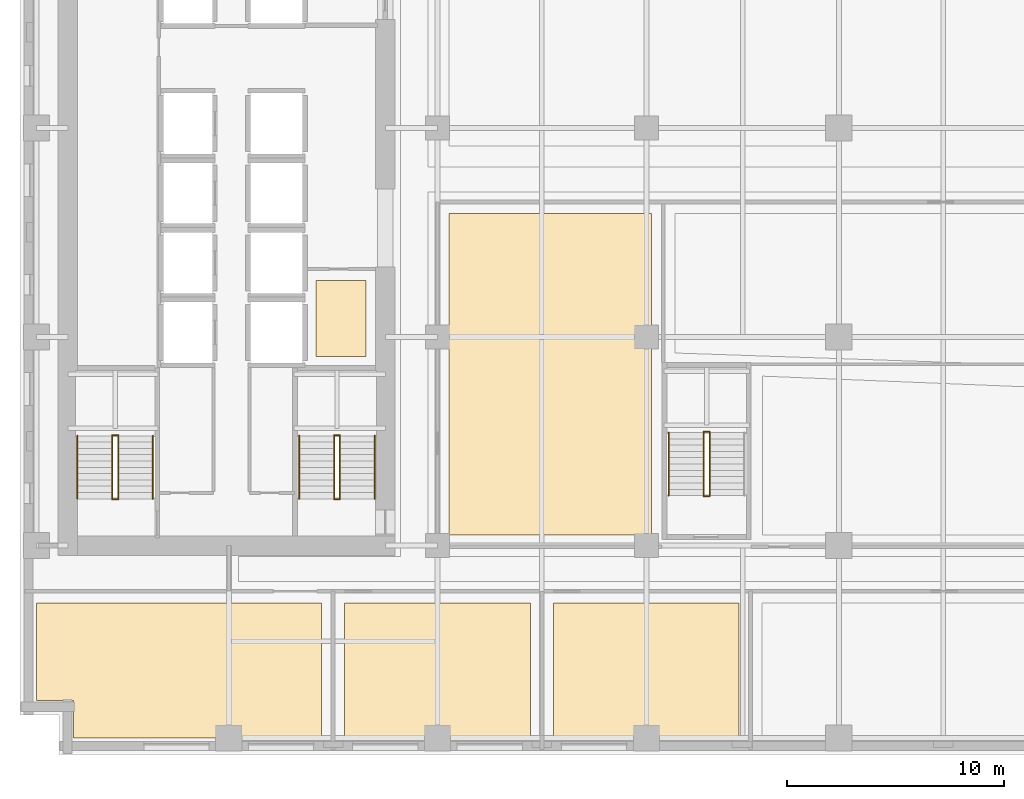
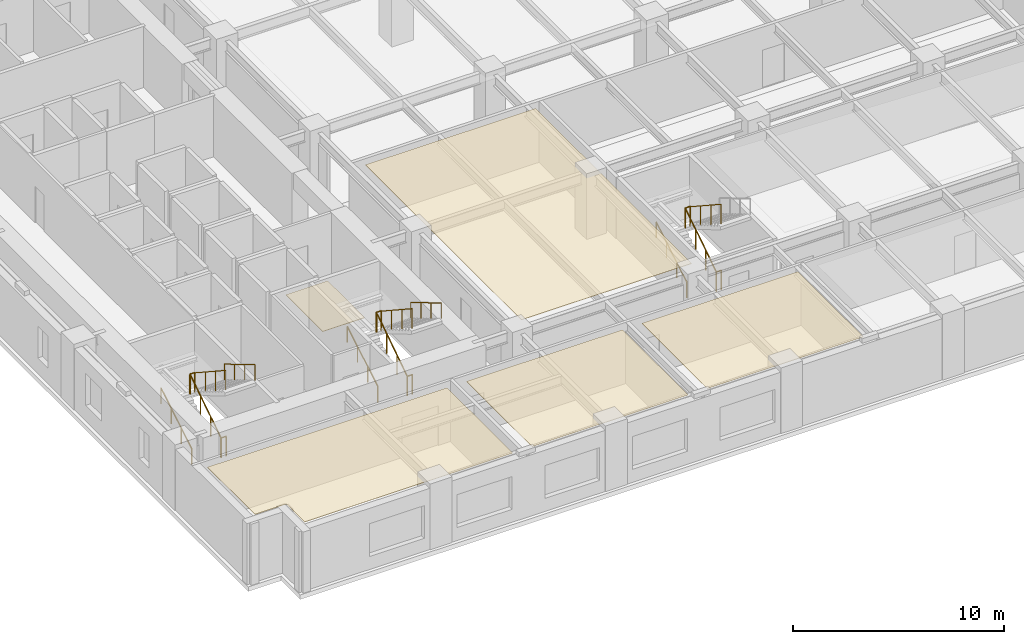
# One storey, part 9 of 13: 17 railings, 5 coverings.
"""IFC4 building model written with IfcOpenShell, lengths in metres."""

from ifc_helpers import new_model, si_unit, direction, frame, origin, origin_2d, place, context, subcontext, project, spatial, polyline, circle, outline, extrude, material, layer, layer_set, type_object, element, save


model = new_model("IFC4")

# Units and contexts
model_context = context("Model", 3, precision=1e-05, world=origin(), true_north=direction((0.0, 1.0)))
body_context = subcontext(model_context, "Body", "Model", "MODEL_VIEW")
ifc_project = project(units=[si_unit("LENGTHUNIT", "METRE"), si_unit("AREAUNIT", "SQUARE_METRE"), si_unit("VOLUMEUNIT", "CUBIC_METRE"), si_unit("PLANEANGLEUNIT", "RADIAN"), si_unit("MASSUNIT", "GRAM", prefix="KILO")], contexts=[model_context])

# Site, building, storey
site_placement = place(None, origin())
site = spatial("IfcSite", under=ifc_project, at=site_placement, CompositionType="ELEMENT")
building_placement = place(site_placement, origin())
building = spatial("IfcBuilding", under=site, at=building_placement, Name="Norrvale University Quadrangle", CompositionType="ELEMENT")
storey_placement = place(building_placement, frame((0.0, 0.0, 31.800048828125)))
storey = spatial("IfcBuildingStorey", under=building, at=storey_placement, Name="L07", CompositionType="ELEMENT", Elevation=31.800048828125)

# Coverings
ifc_material_1 = material(Name="Perforated Acoustic Mineral Ceiling")
ifc_layer_1 = layer(ifc_material_1, 0.02490234375, Name="Perforated Acoustic Mineral Ceiling")
ifc_layer_set_1 = layer_set([ifc_layer_1], Name="Perforated Acoustic Mineral Ceiling")
covering_type_1 = type_object("IfcCoveringType", Name="Covering Acoustic Ceiling 25", PredefinedType="CEILING", material=ifc_layer_set_1)
covering_1_placement = place(storey_placement, frame((0.0, 0.0, 3.514892578125)))
element("IfcCovering", 1, at=covering_1_placement, inside=storey, type_object=covering_type_1, Name="Acoustic Ceiling RM-L07-S01", PredefinedType="CEILING", context=body_context, shape_type="SweptSolid", body=[
    extrude(outline(polyline([(0.75, 6.969970703125), (13.8701171875, 6.969970703125), (13.8701171875, 0.75), (2.469970703125, 0.75), (2.469970703125, 2.469970703125), (0.75, 2.469970703125), (0.75, 6.969970703125)])), origin(), (0.0, 0.0, 1.0), 0.025146484375),
])
covering_2_placement = place(storey_placement, frame((0.0, 0.0, 3.514892578125)))
element("IfcCovering", 2, at=covering_2_placement, inside=storey, type_object=covering_type_1, Name="Acoustic Ceiling RM-L07-S02", PredefinedType="CEILING", context=body_context, shape_type="SweptSolid", body=[
    extrude(outline(polyline([(14.929931640625, 6.969970703125), (23.469970703125, 6.969970703125), (23.469970703125, 0.75), (14.929931640625, 0.75), (14.929931640625, 6.969970703125)])), origin(), (0.0, 0.0, 1.0), 0.025146484375),
])
covering_3_placement = place(storey_placement, frame((0.0, 0.0, 3.514892578125)))
element("IfcCovering", 3, at=covering_3_placement, inside=storey, type_object=covering_type_1, Name="Acoustic Ceiling RM-L07-S03", PredefinedType="CEILING", context=body_context, shape_type="SweptSolid", body=[
    extrude(outline(polyline([(24.530029296875, 6.969970703125), (33.070068359375, 6.969970703125), (33.070068359375, 0.75), (24.530029296875, 0.75), (24.530029296875, 6.969970703125)])), origin(), (0.0, 0.0, 1.0), 0.025146484375),
])
covering_4_placement = place(storey_placement, frame((0.0, 0.0, 3.514892578125)))
element("IfcCovering", 4, at=covering_4_placement, inside=storey, type_object=covering_type_1, Name="Acoustic Ceiling RM-L07-IW1", PredefinedType="CEILING", context=body_context, shape_type="SweptSolid", body=[
    extrude(outline(polyline([(19.72998046875, 10.080078125), (19.72998046875, 24.8701171875), (29.050048828125, 24.8701171875), (29.050048828125, 10.080078125), (19.72998046875, 10.080078125)])), origin(), (0.0, 0.0, 1.0), 0.025146484375),
])
ifc_material_2 = material(Name="Polished Terrazzo Flooring")
ifc_layer_2 = layer(ifc_material_2, 0.02490234375, Name="Polished Terrazzo Flooring")
ifc_layer_set_2 = layer_set([ifc_layer_2], Name="Polished Terrazzo Flooring")
covering_type_2 = type_object("IfcCoveringType", Name="Covering Terrazzo Floor 30", PredefinedType="FLOORING", material=ifc_layer_set_2)
covering_5_placement = place(storey_placement, origin())
element("IfcCovering", 5, at=covering_5_placement, inside=storey, type_object=covering_type_2, Name="Terrazzo Flooring RM-L07-JAN", PredefinedType="FLOORING", context=body_context, shape_type="SweptSolid", body=[
    extrude(outline(polyline([(13.60009765625, 18.300048828125), (13.60009765625, 21.800048828125), (15.89990234375, 21.800048828125), (15.89990234375, 18.300048828125), (13.60009765625, 18.300048828125)])), origin(), (0.0, 0.0, 1.0), 0.02490234375),
])

# Railings
ifc_material_3 = material(Name="Steel 350W Painted Balustrade", Category="steel")
railing_type_1 = type_object("IfcRailingType", Name="Railing Stair Guard 1100", PredefinedType="GUARDRAIL", material=ifc_material_3)
for number, where, name in (
    (6, (4.239990234375, 11.719970703125, 0.0), "Stair Floor Well Guard ST-01 L07"),
    (7, (4.239990234375, 14.679931640625, 1.89990234375), "Stair Mid-Landing Slot Guard ST-01 L07"),
):
    element("IfcRailing", number, at=place(storey_placement, frame(where)), inside=storey, type_object=railing_type_1, Name=name, PredefinedType="GUARDRAIL", context=body_context, shape_type="SweptSolid", body=[
        extrude(circle(Radius=0.02392578125, at=origin_2d()), frame((0.0, 0.0, 1.1259765625), z_axis=(1.0, 0.0, 0.0), x_axis=(0.0, 1.0, 0.0)), (0.0, 0.0, 1.0), 0.27001953125),
        extrude(circle(Radius=0.02099609375, at=origin_2d()), origin(), (0.0, 0.0, 1.0), 1.101806640625),
        extrude(circle(Radius=0.02099609375, at=origin_2d()), frame((0.27001953125, 0.0, 0.0)), (0.0, 0.0, 1.0), 1.101806640625),
    ])
railing_1_placement = place(storey_placement, frame((4.239990234375, 11.75, 0.0)))
element("IfcRailing", 8, at=railing_1_placement, inside=storey, type_object=railing_type_1, Name="Stair Lower Flight Inner Guard ST-01 L07", PredefinedType="GUARDRAIL", context=body_context, shape_type="SweptSolid", body=[
    extrude(circle(Radius=0.02392578125, at=origin_2d()), frame((0.0, 0.0, 1.1259765625), z_axis=(0.0, 0.836465582154, 0.548019461216), x_axis=(-1.0, 0.0, 0.0)), (0.0, 0.0, 1.0), 3.466796875),
    extrude(circle(Radius=0.02099609375, at=origin_2d()), origin(), (0.0, 0.0, 1.0), 1.101806640625),
    extrude(circle(Radius=0.02099609375, at=origin_2d()), frame((0.0, 0.966552734375, 0.63330078125)), (0.0, 0.0, 1.0), 1.101806640625),
    extrude(circle(Radius=0.02099609375, at=origin_2d()), frame((0.0, 1.933349609375, 1.2666015625)), (0.0, 0.0, 1.0), 1.101806640625),
    extrude(circle(Radius=0.02099609375, at=origin_2d()), frame((0.0, 2.89990234375, 1.89990234375)), (0.0, 0.0, 1.0), 1.101806640625),
])
railing_2_placement = place(storey_placement, frame((4.510009765625, 14.64990234375, 1.89990234375)))
element("IfcRailing", 9, at=railing_2_placement, inside=storey, type_object=railing_type_1, Name="Stair Upper Flight Inner Guard ST-01 L07", PredefinedType="GUARDRAIL", context=body_context, shape_type="SweptSolid", body=[
    extrude(circle(Radius=0.02392578125, at=origin_2d()), frame((0.0, 0.0, 1.1259765625), z_axis=(0.0, -0.836433300813, 0.548068730445), x_axis=(1.0, 0.0, 0.0)), (0.0, 0.0, 1.0), 3.467041015625),
    extrude(circle(Radius=0.02099609375, at=origin_2d()), origin(), (0.0, 0.0, 1.0), 1.101806640625),
    extrude(circle(Radius=0.02099609375, at=origin_2d()), frame((0.0, -0.966552734375, 0.63330078125)), (0.0, 0.0, 1.0), 1.101806640625),
    extrude(circle(Radius=0.02099609375, at=origin_2d()), frame((0.0, -1.933349609375, 1.266845703125)), (0.0, 0.0, 1.0), 1.101806640625),
    extrude(circle(Radius=0.02099609375, at=origin_2d()), frame((0.0, -2.89990234375, 1.900146484375)), (0.0, 0.0, 1.0), 1.101806640625),
])
for number, where, name in (
    (10, (14.43994140625, 11.719970703125, 0.0), "Stair Floor Well Guard ST-03 L07"),
    (11, (14.43994140625, 14.679931640625, 1.89990234375), "Stair Mid-Landing Slot Guard ST-03 L07"),
):
    element("IfcRailing", number, at=place(storey_placement, frame(where)), inside=storey, type_object=railing_type_1, Name=name, PredefinedType="GUARDRAIL", context=body_context, shape_type="SweptSolid", body=[
        extrude(circle(Radius=0.02392578125, at=origin_2d()), frame((0.0, 0.0, 1.1259765625), z_axis=(1.0, 0.0, 0.0), x_axis=(0.0, 1.0, 0.0)), (0.0, 0.0, 1.0), 0.27001953125),
        extrude(circle(Radius=0.02099609375, at=origin_2d()), origin(), (0.0, 0.0, 1.0), 1.101806640625),
        extrude(circle(Radius=0.02099609375, at=origin_2d()), frame((0.27001953125, 0.0, 0.0)), (0.0, 0.0, 1.0), 1.101806640625),
    ])
railing_3_placement = place(storey_placement, frame((14.43994140625, 11.75, 0.0)))
element("IfcRailing", 12, at=railing_3_placement, inside=storey, type_object=railing_type_1, Name="Stair Lower Flight Inner Guard ST-03 L07", PredefinedType="GUARDRAIL", context=body_context, shape_type="SweptSolid", body=[
    extrude(circle(Radius=0.02392578125, at=origin_2d()), frame((0.0, 0.0, 1.1259765625), z_axis=(0.0, 0.836465582154, 0.548019461216), x_axis=(-1.0, 0.0, 0.0)), (0.0, 0.0, 1.0), 3.466796875),
    extrude(circle(Radius=0.02099609375, at=origin_2d()), origin(), (0.0, 0.0, 1.0), 1.101806640625),
    extrude(circle(Radius=0.02099609375, at=origin_2d()), frame((0.0, 0.966552734375, 0.63330078125)), (0.0, 0.0, 1.0), 1.101806640625),
    extrude(circle(Radius=0.02099609375, at=origin_2d()), frame((0.0, 1.933349609375, 1.2666015625)), (0.0, 0.0, 1.0), 1.101806640625),
    extrude(circle(Radius=0.02099609375, at=origin_2d()), frame((0.0, 2.89990234375, 1.89990234375)), (0.0, 0.0, 1.0), 1.101806640625),
])
railing_4_placement = place(storey_placement, frame((14.7099609375, 14.64990234375, 1.89990234375)))
element("IfcRailing", 13, at=railing_4_placement, inside=storey, type_object=railing_type_1, Name="Stair Upper Flight Inner Guard ST-03 L07", PredefinedType="GUARDRAIL", context=body_context, shape_type="SweptSolid", body=[
    extrude(circle(Radius=0.02392578125, at=origin_2d()), frame((0.0, 0.0, 1.1259765625), z_axis=(0.0, -0.836433300813, 0.548068730445), x_axis=(1.0, 0.0, 0.0)), (0.0, 0.0, 1.0), 3.467041015625),
    extrude(circle(Radius=0.02099609375, at=origin_2d()), origin(), (0.0, 0.0, 1.0), 1.101806640625),
    extrude(circle(Radius=0.02099609375, at=origin_2d()), frame((0.0, -0.966552734375, 0.63330078125)), (0.0, 0.0, 1.0), 1.101806640625),
    extrude(circle(Radius=0.02099609375, at=origin_2d()), frame((0.0, -1.933349609375, 1.266845703125)), (0.0, 0.0, 1.0), 1.101806640625),
    extrude(circle(Radius=0.02099609375, at=origin_2d()), frame((0.0, -2.89990234375, 1.900146484375)), (0.0, 0.0, 1.0), 1.101806640625),
])
for number, where, name in (
    (14, (31.43994140625, 11.8701171875, 0.0), "Stair Floor Well Guard ST-04 L07"),
    (15, (31.43994140625, 14.830078125, 1.89990234375), "Stair Mid-Landing Slot Guard ST-04 L07"),
):
    element("IfcRailing", number, at=place(storey_placement, frame(where)), inside=storey, type_object=railing_type_1, Name=name, PredefinedType="GUARDRAIL", context=body_context, shape_type="SweptSolid", body=[
        extrude(circle(Radius=0.02392578125, at=origin_2d()), frame((0.0, 0.0, 1.1259765625), z_axis=(1.0, 0.0, 0.0), x_axis=(0.0, 1.0, 0.0)), (0.0, 0.0, 1.0), 0.27001953125),
        extrude(circle(Radius=0.02099609375, at=origin_2d()), origin(), (0.0, 0.0, 1.0), 1.101806640625),
        extrude(circle(Radius=0.02099609375, at=origin_2d()), frame((0.27001953125, 0.0, 0.0)), (0.0, 0.0, 1.0), 1.101806640625),
    ])
railing_5_placement = place(storey_placement, frame((31.43994140625, 11.89990234375, 0.0)))
element("IfcRailing", 16, at=railing_5_placement, inside=storey, type_object=railing_type_1, Name="Stair Lower Flight Inner Guard ST-04 L07", PredefinedType="GUARDRAIL", context=body_context, shape_type="SweptSolid", body=[
    extrude(circle(Radius=0.02392578125, at=origin_2d()), frame((0.0, 0.0, 1.1259765625), z_axis=(0.0, 0.836486729621, 0.547987181573), x_axis=(-1.0, 0.0, 0.0)), (0.0, 0.0, 1.0), 3.467041015625),
    extrude(circle(Radius=0.02099609375, at=origin_2d()), origin(), (0.0, 0.0, 1.0), 1.101806640625),
    extrude(circle(Radius=0.02099609375, at=origin_2d()), frame((0.0, 0.966796875, 0.63330078125)), (0.0, 0.0, 1.0), 1.101806640625),
    extrude(circle(Radius=0.02099609375, at=origin_2d()), frame((0.0, 1.933349609375, 1.2666015625)), (0.0, 0.0, 1.0), 1.101806640625),
    extrude(circle(Radius=0.02099609375, at=origin_2d()), frame((0.0, 2.900146484375, 1.89990234375)), (0.0, 0.0, 1.0), 1.101806640625),
])
railing_6_placement = place(storey_placement, frame((31.7099609375, 14.800048828125, 1.89990234375)))
element("IfcRailing", 17, at=railing_6_placement, inside=storey, type_object=railing_type_1, Name="Stair Upper Flight Inner Guard ST-04 L07", PredefinedType="GUARDRAIL", context=body_context, shape_type="SweptSolid", body=[
    extrude(circle(Radius=0.02392578125, at=origin_2d()), frame((0.0, 0.0, 1.1259765625), z_axis=(0.0, -0.836454451266, 0.548036450392), x_axis=(1.0, 0.0, 0.0)), (0.0, 0.0, 1.0), 3.46728515625),
    extrude(circle(Radius=0.02099609375, at=origin_2d()), origin(), (0.0, 0.0, 1.0), 1.101806640625),
    extrude(circle(Radius=0.02099609375, at=origin_2d()), frame((0.0, -0.966796875, 0.63330078125)), (0.0, 0.0, 1.0), 1.101806640625),
    extrude(circle(Radius=0.02099609375, at=origin_2d()), frame((0.0, -1.933349609375, 1.266845703125)), (0.0, 0.0, 1.0), 1.101806640625),
    extrude(circle(Radius=0.02099609375, at=origin_2d()), frame((0.0, -2.900146484375, 1.900146484375)), (0.0, 0.0, 1.0), 1.101806640625),
])
ifc_material_4 = material(Name="Stainless Steel 316L Handrail", Category="steel")
railing_type_2 = type_object("IfcRailingType", Name="Railing Stair Handrail 920", PredefinedType="HANDRAIL", material=ifc_material_4)
railing_7_placement = place(storey_placement, frame((2.639892578125, 11.75, 0.172607421875)))
element("IfcRailing", 18, at=railing_7_placement, inside=storey, type_object=railing_type_2, Name="Stair Lower Flight Handrail ST-01 L07", PredefinedType="HANDRAIL", context=body_context, shape_type="SweptSolid", body=[
    extrude(circle(Radius=0.02392578125, at=origin_2d()), frame((0.0, 0.0, 0.89599609375), z_axis=(0.0, 0.859141464434, 0.511738159696), x_axis=(-1.0, 0.0, 0.0)), (0.0, 0.0, 1.0), 3.375244140625),
    extrude(circle(Radius=0.02099609375, at=origin_2d()), origin(), (0.0, 0.0, 1.0), 0.871826171875),
    extrude(circle(Radius=0.02099609375, at=origin_2d()), frame((0.0, 0.966552734375, 0.57568359375)), (0.0, 0.0, 1.0), 0.871826171875),
    extrude(circle(Radius=0.02099609375, at=origin_2d()), frame((0.0, 1.933349609375, 1.151611328125)), (0.0, 0.0, 1.0), 0.871826171875),
    extrude(circle(Radius=0.02099609375, at=origin_2d()), frame((0.0, 2.89990234375, 1.727294921875)), (0.0, 0.0, 1.0), 0.871826171875),
])
railing_8_placement = place(storey_placement, frame((6.110107421875, 14.64990234375, 2.07275390625)))
element("IfcRailing", 19, at=railing_8_placement, inside=storey, type_object=railing_type_2, Name="Stair Upper Flight Handrail ST-01 L07", PredefinedType="HANDRAIL", context=body_context, shape_type="SweptSolid", body=[
    extrude(circle(Radius=0.02392578125, at=origin_2d()), frame((0.0, 0.0, 0.89599609375), z_axis=(0.0, -0.859141464434, 0.511738159696), x_axis=(1.0, 0.0, 0.0)), (0.0, 0.0, 1.0), 3.375244140625),
    extrude(circle(Radius=0.02099609375, at=origin_2d()), origin(), (0.0, 0.0, 1.0), 0.871826171875),
    extrude(circle(Radius=0.02099609375, at=origin_2d()), frame((0.0, -0.966552734375, 0.57568359375)), (0.0, 0.0, 1.0), 0.871826171875),
    extrude(circle(Radius=0.02099609375, at=origin_2d()), frame((0.0, -1.933349609375, 1.151611328125)), (0.0, 0.0, 1.0), 0.871826171875),
    extrude(circle(Radius=0.02099609375, at=origin_2d()), frame((0.0, -2.89990234375, 1.727294921875)), (0.0, 0.0, 1.0), 0.871826171875),
])
railing_9_placement = place(storey_placement, frame((12.840087890625, 11.75, 0.172607421875)))
element("IfcRailing", 20, at=railing_9_placement, inside=storey, type_object=railing_type_2, Name="Stair Lower Flight Handrail ST-03 L07", PredefinedType="HANDRAIL", context=body_context, shape_type="SweptSolid", body=[
    extrude(circle(Radius=0.02392578125, at=origin_2d()), frame((0.0, 0.0, 0.89599609375), z_axis=(0.0, 0.859141464434, 0.511738159696), x_axis=(-1.0, 0.0, 0.0)), (0.0, 0.0, 1.0), 3.375244140625),
    extrude(circle(Radius=0.02099609375, at=origin_2d()), origin(), (0.0, 0.0, 1.0), 0.871826171875),
    extrude(circle(Radius=0.02099609375, at=origin_2d()), frame((0.0, 0.966552734375, 0.57568359375)), (0.0, 0.0, 1.0), 0.871826171875),
    extrude(circle(Radius=0.02099609375, at=origin_2d()), frame((0.0, 1.933349609375, 1.151611328125)), (0.0, 0.0, 1.0), 0.871826171875),
    extrude(circle(Radius=0.02099609375, at=origin_2d()), frame((0.0, 2.89990234375, 1.727294921875)), (0.0, 0.0, 1.0), 0.871826171875),
])
railing_10_placement = place(storey_placement, frame((16.31005859375, 14.64990234375, 2.07275390625)))
element("IfcRailing", 21, at=railing_10_placement, inside=storey, type_object=railing_type_2, Name="Stair Upper Flight Handrail ST-03 L07", PredefinedType="HANDRAIL", context=body_context, shape_type="SweptSolid", body=[
    extrude(circle(Radius=0.02392578125, at=origin_2d()), frame((0.0, 0.0, 0.89599609375), z_axis=(0.0, -0.859141464434, 0.511738159696), x_axis=(1.0, 0.0, 0.0)), (0.0, 0.0, 1.0), 3.375244140625),
    extrude(circle(Radius=0.02099609375, at=origin_2d()), origin(), (0.0, 0.0, 1.0), 0.871826171875),
    extrude(circle(Radius=0.02099609375, at=origin_2d()), frame((0.0, -0.966552734375, 0.57568359375)), (0.0, 0.0, 1.0), 0.871826171875),
    extrude(circle(Radius=0.02099609375, at=origin_2d()), frame((0.0, -1.933349609375, 1.151611328125)), (0.0, 0.0, 1.0), 0.871826171875),
    extrude(circle(Radius=0.02099609375, at=origin_2d()), frame((0.0, -2.89990234375, 1.727294921875)), (0.0, 0.0, 1.0), 0.871826171875),
])
railing_11_placement = place(storey_placement, frame((29.840087890625, 11.89990234375, 0.172607421875)))
element("IfcRailing", 22, at=railing_11_placement, inside=storey, type_object=railing_type_2, Name="Stair Lower Flight Handrail ST-04 L07", PredefinedType="HANDRAIL", context=body_context, shape_type="SweptSolid", body=[
    extrude(circle(Radius=0.02392578125, at=origin_2d()), frame((0.0, 0.0, 0.89599609375), z_axis=(0.0, 0.859160404282, 0.51170636083), x_axis=(-1.0, 0.0, 0.0)), (0.0, 0.0, 1.0), 3.37548828125),
    extrude(circle(Radius=0.02099609375, at=origin_2d()), origin(), (0.0, 0.0, 1.0), 0.871826171875),
    extrude(circle(Radius=0.02099609375, at=origin_2d()), frame((0.0, 0.966796875, 0.57568359375)), (0.0, 0.0, 1.0), 0.871826171875),
    extrude(circle(Radius=0.02099609375, at=origin_2d()), frame((0.0, 1.933349609375, 1.151611328125)), (0.0, 0.0, 1.0), 0.871826171875),
    extrude(circle(Radius=0.02099609375, at=origin_2d()), frame((0.0, 2.900146484375, 1.727294921875)), (0.0, 0.0, 1.0), 0.871826171875),
])

save(model, "model.ifc")
